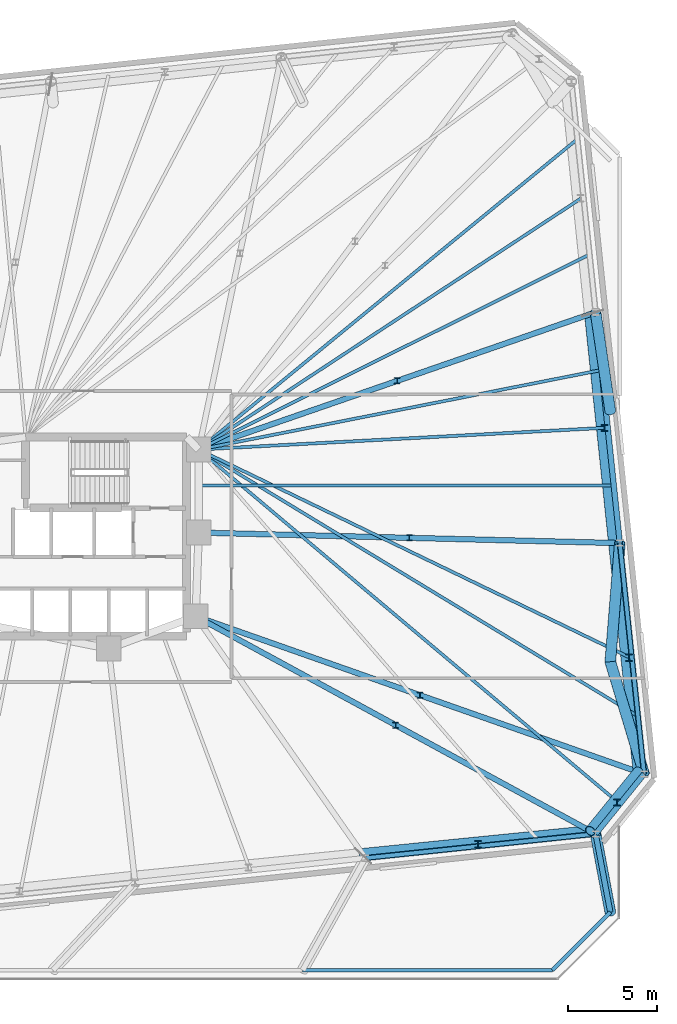
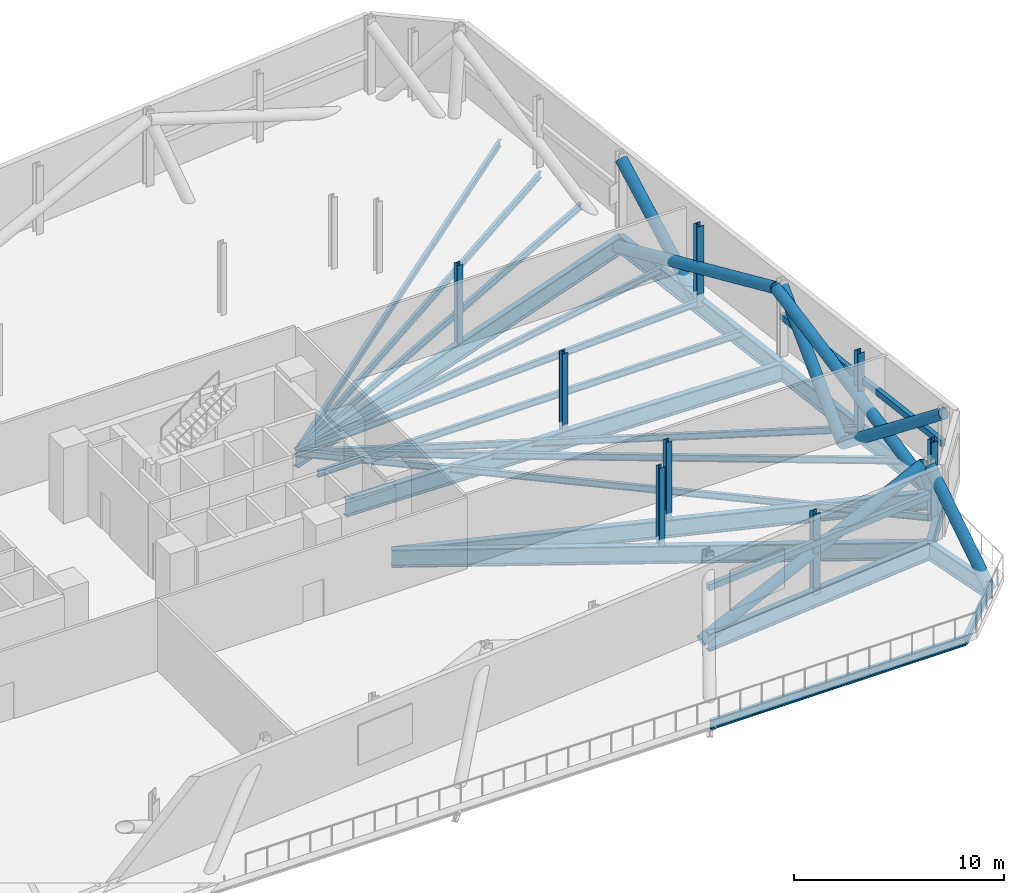
# One storey, part 10 of 17: 20 beams, 18 members.
"""IFC4 building model written with IfcOpenShell, lengths in metres."""

from ifc_helpers import new_model, si_unit, direction, frame, origin, origin_2d, place, context, subcontext, project, spatial, hollow_rectangle, hollow_circle, i_section, extrude, material, material_profile, profile_set, type_object, element, save


model = new_model("IFC4")

# Units and contexts
model_context = context("Model", 3, precision=1e-05, world=origin(), true_north=direction((0.0, 1.0)))
body_context = subcontext(model_context, "Body", "Model", "MODEL_VIEW")
ifc_project = project(units=[si_unit("LENGTHUNIT", "METRE"), si_unit("AREAUNIT", "SQUARE_METRE"), si_unit("VOLUMEUNIT", "CUBIC_METRE"), si_unit("PLANEANGLEUNIT", "RADIAN"), si_unit("MASSUNIT", "GRAM", prefix="KILO")], contexts=[model_context])

# Site, building, storey
site_placement = place(None, origin())
site = spatial("IfcSite", under=ifc_project, at=site_placement, CompositionType="ELEMENT")
building_placement = place(site_placement, origin())
building = spatial("IfcBuilding", under=site, at=building_placement, Name="Menara Jurai Vektor", CompositionType="ELEMENT")
storey_placement = place(building_placement, frame((0.0, 0.0, 78.800048828125)))
storey = spatial("IfcBuildingStorey", under=building, at=storey_placement, Name="L19", CompositionType="ELEMENT", Elevation=78.800048828125)

# Beams
ifc_material_1 = material(Name="Steel S355", Category="steel")
ifc_material_profile_1 = material_profile(ifc_material_1, i_section(OverallWidth=0.2109375, OverallDepth=0.5390625, WebThickness=0.011962890625, FlangeThickness=0.01904296875, FilletRadius=0.012939453125, at=origin_2d()), Name="UKB 533x210x109")
ifc_profile_set_1 = profile_set([ifc_material_profile_1], Name="Steel S355")
beam_type_1 = type_object("IfcBeamType", Name="STR-BM-533", PredefinedType="BEAM", material=ifc_profile_set_1)
beam_1_placement = place(storey_placement, frame((21.106689453125, -24.449951171875, -0.674560546875), z_axis=(1.0, 0.0, 0.0), x_axis=(0.0, 1.0, 0.0)))
element("IfcBeam", 1, at=beam_1_placement, inside=storey, type_object=beam_type_1, Name="Step Terrace Edge Beam L19-05", PredefinedType="BEAM", context=body_context, shape_type="SweptSolid", body=[
    extrude(i_section(OverallWidth=0.2109375, OverallDepth=0.5390625, WebThickness=0.011962890625, FlangeThickness=0.01904296875, FilletRadius=0.012939453125, at=origin_2d()), origin(), (0.0, 0.0, 1.0), 14.071044921875),
])
beam_2_placement = place(storey_placement, frame((35.177734375, -24.449951171875, -0.674560546875), z_axis=(0.707106781187, 0.707106781187, 0.0), x_axis=(-0.707106781187, 0.707106781187, 0.0)))
element("IfcBeam", 2, at=beam_2_placement, inside=storey, type_object=beam_type_1, Name="Step Terrace Edge Beam L19-06", PredefinedType="BEAM", context=body_context, shape_type="SweptSolid", body=[
    extrude(i_section(OverallWidth=0.2109375, OverallDepth=0.5390625, WebThickness=0.011962890625, FlangeThickness=0.01904296875, FilletRadius=0.012939453125, at=origin_2d()), origin(), (0.0, 0.0, 1.0), 4.627685546875),
])
ifc_material_2 = material(Name="Steel S460", Category="steel")
ifc_material_profile_2 = material_profile(ifc_material_2, i_section(OverallWidth=0.30908203125, OverallDepth=1.035888671875, WebThickness=0.030029296875, FlangeThickness=0.053955078125, FilletRadius=0.030029296875, at=origin_2d()), Name="UKB 1016x305x487")
ifc_profile_set_2 = profile_set([ifc_material_profile_2], Name="Steel S460")
beam_type_2 = type_object("IfcBeamType", Name="STR-BM-TR1016", PredefinedType="BEAM", material=ifc_profile_set_2)
beam_3_placement = place(storey_placement, frame((24.64208984375, -18.12939453125, -0.923095703125), z_axis=(0.994521636083, 0.104530930169, 0.0), x_axis=(-0.104530930169, 0.994521636083, 0.0)))
element("IfcBeam", 3, at=beam_3_placement, inside=storey, type_object=beam_type_2, Name="Belt Truss Bottom Chord L19-05", PredefinedType="BEAM", context=body_context, shape_type="SweptSolid", body=[
    extrude(i_section(OverallWidth=0.30908203125, OverallDepth=1.035888671875, WebThickness=0.030029296875, FlangeThickness=0.053955078125, FilletRadius=0.030029296875, at=origin_2d()), origin(), (0.0, 0.0, 1.0), 13.05126953125),
])
beam_4_placement = place(storey_placement, frame((37.621826171875, -16.76513671875, -0.923095703125), z_axis=(0.629343699494, 0.777127086072, 0.0), x_axis=(-0.777127086072, 0.629343699494, 0.0)))
element("IfcBeam", 4, at=beam_4_placement, inside=storey, type_object=beam_type_2, Name="Belt Truss Bottom Chord L19-06", PredefinedType="BEAM", context=body_context, shape_type="SweptSolid", body=[
    extrude(i_section(OverallWidth=0.30908203125, OverallDepth=1.035888671875, WebThickness=0.030029296875, FlangeThickness=0.053955078125, FilletRadius=0.030029296875, at=origin_2d()), origin(), (0.0, 0.0, 1.0), 4.3447265625),
])
beam_5_placement = place(storey_placement, frame((38.449951171875, -21.177734375, -0.923095703125), z_axis=(-0.184452694721, 0.982841392805, 0.0), x_axis=(-0.982841392805, -0.184452694721, 0.0)))
element("IfcBeam", 5, at=beam_5_placement, inside=storey, type_object=beam_type_2, Name="Cantilever Transfer Girder L19-S6", PredefinedType="BEAM", context=body_context, shape_type="SweptSolid", body=[
    extrude(i_section(OverallWidth=0.30908203125, OverallDepth=1.035888671875, WebThickness=0.030029296875, FlangeThickness=0.053955078125, FilletRadius=0.030029296875, at=origin_2d()), origin(), (0.0, 0.0, 1.0), 4.48974609375),
])
beam_6_placement = place(storey_placement, frame((37.621826171875, -16.76513671875, -0.923095703125), z_axis=(-0.878392468416, 0.477940029115, 0.0), x_axis=(-0.477940029115, -0.878392468416, 0.0)))
element("IfcBeam", 6, at=beam_6_placement, inside=storey, type_object=beam_type_2, Name="Outrigger Transfer Girder L19-S6", PredefinedType="BEAM", context=body_context, shape_type="SweptSolid", body=[
    extrude(i_section(OverallWidth=0.30908203125, OverallDepth=1.035888671875, WebThickness=0.030029296875, FlangeThickness=0.053955078125, FilletRadius=0.030029296875, at=origin_2d()), origin(), (0.0, 0.0, 1.0), 25.66259765625),
])
beam_7_placement = place(storey_placement, frame((40.356201171875, -13.388671875, -0.923095703125), z_axis=(-0.104538130097, 0.994520879296, 0.0), x_axis=(-0.994520879296, -0.104538130097, 0.0)))
element("IfcBeam", 7, at=beam_7_placement, inside=storey, type_object=beam_type_2, Name="Belt Truss Bottom Chord L19-07", PredefinedType="BEAM", context=body_context, shape_type="SweptSolid", body=[
    extrude(i_section(OverallWidth=0.30908203125, OverallDepth=1.035888671875, WebThickness=0.030029296875, FlangeThickness=0.053955078125, FilletRadius=0.030029296875, at=origin_2d()), origin(), (0.0, 0.0, 1.0), 13.08544921875),
])
beam_8_placement = place(storey_placement, frame((40.356201171875, -13.388671875, -0.923095703125), z_axis=(-0.943368219745, 0.331747497315, 0.0), x_axis=(-0.331747497315, -0.943368219745, 0.0)))
element("IfcBeam", 8, at=beam_8_placement, inside=storey, type_object=beam_type_2, Name="Outrigger Transfer Girder L19-E1", PredefinedType="BEAM", context=body_context, shape_type="SweptSolid", body=[
    extrude(i_section(OverallWidth=0.30908203125, OverallDepth=1.035888671875, WebThickness=0.030029296875, FlangeThickness=0.053955078125, FilletRadius=0.030029296875, at=origin_2d()), origin(), (0.0, 0.0, 1.0), 26.79345703125),
])
beam_9_placement = place(storey_placement, frame((38.98828125, -0.375, -0.923095703125), z_axis=(-0.104521615846, 0.994522615037, 0.0), x_axis=(-0.994522615037, -0.104521615846, 0.0)))
element("IfcBeam", 9, at=beam_9_placement, inside=storey, type_object=beam_type_2, Name="Belt Truss Bottom Chord L19-08", PredefinedType="BEAM", context=body_context, shape_type="SweptSolid", body=[
    extrude(i_section(OverallWidth=0.30908203125, OverallDepth=1.035888671875, WebThickness=0.030029296875, FlangeThickness=0.053955078125, FilletRadius=0.030029296875, at=origin_2d()), origin(), (0.0, 0.0, 1.0), 13.085205078125),
])
beam_10_placement = place(storey_placement, frame((38.98828125, -0.375, -0.923095703125), z_axis=(-0.999686051749, 0.02505589629, 0.0), x_axis=(-0.02505589629, -0.999686051749, 0.0)))
element("IfcBeam", 10, at=beam_10_placement, inside=storey, type_object=beam_type_2, Name="Outrigger Transfer Girder L19-E2", PredefinedType="BEAM", context=body_context, shape_type="SweptSolid", body=[
    extrude(i_section(OverallWidth=0.30908203125, OverallDepth=1.035888671875, WebThickness=0.030029296875, FlangeThickness=0.053955078125, FilletRadius=0.030029296875, at=origin_2d()), origin(), (0.0, 0.0, 1.0), 23.745849609375),
])
beam_11_placement = place(storey_placement, frame((37.62060546875, 12.638427734375, -0.923095703125), z_axis=(-0.945053249867, -0.326916434148, 0.0), x_axis=(0.326916434148, -0.945053249867, 0.0)))
element("IfcBeam", 11, at=beam_11_placement, inside=storey, type_object=beam_type_2, Name="Outrigger Transfer Girder L19-E3", PredefinedType="BEAM", context=body_context, shape_type="SweptSolid", body=[
    extrude(i_section(OverallWidth=0.30908203125, OverallDepth=1.035888671875, WebThickness=0.030029296875, FlangeThickness=0.053955078125, FilletRadius=0.030029296875, at=origin_2d()), origin(), (0.0, 0.0, 1.0), 23.671142578125),
])

# Members
ifc_material_profile_3 = material_profile(ifc_material_2, hollow_circle(Radius=0.304931640625, WallThickness=0.02490234375, at=origin_2d()), Name="CHS 610x25")
ifc_profile_set_3 = profile_set([ifc_material_profile_3], Name="Steel S460")
member_type_1 = type_object("IfcMemberType", Name="STR-BR-610", PredefinedType="BRACE", material=ifc_profile_set_3)
member_1_placement = place(storey_placement, frame((24.39453125, -17.896484375, -0.923095703125), z_axis=(0.930668269374, 0.093226744633, 0.353787148531), x_axis=(-0.099673000119, 0.995020247556, 0.0)))
element("IfcMember", 12, at=member_1_placement, inside=storey, type_object=member_type_1, Name="Belt Truss Web Diagonal L19-05", PredefinedType="BRACE", context=body_context, shape_type="SweptSolid", body=[
    extrude(hollow_circle(Radius=0.304931640625, WallThickness=0.02490234375, at=origin_2d()), origin(), (0.0, 0.0, 1.0), 13.892578125),
])
member_2_placement = place(storey_placement, frame((40.042724609375, -13.2568359375, -0.923095703125), z_axis=(-0.415890090523, -0.511609047241, 0.751858773564), x_axis=(0.775959773219, -0.630782395399, 0.0)))
element("IfcMember", 13, at=member_2_placement, inside=storey, type_object=member_type_1, Name="Belt Truss Web Diagonal L19-06", PredefinedType="BRACE", context=body_context, shape_type="SweptSolid", body=[
    extrude(hollow_circle(Radius=0.304931640625, WallThickness=0.02490234375, at=origin_2d()), origin(), (0.0, 0.0, 1.0), 6.537109375),
])
member_3_placement = place(storey_placement, frame((40.042724609375, -13.2568359375, -0.923095703125), z_axis=(-0.100368636304, 0.929821237323, 0.354060169279), x_axis=(-0.99422446822, -0.107320579537, 0.0)))
element("IfcMember", 14, at=member_3_placement, inside=storey, type_object=member_type_1, Name="Belt Truss Web Diagonal L19-07", PredefinedType="BRACE", context=body_context, shape_type="SweptSolid", body=[
    extrude(hollow_circle(Radius=0.304931640625, WallThickness=0.02490234375, at=origin_2d()), origin(), (0.0, 0.0, 1.0), 13.8818359375),
])
member_4_placement = place(storey_placement, frame((37.29443359375, 12.54248046875, -0.923095703125), z_axis=(0.097739713825, -0.929918531317, 0.354539805175), x_axis=(0.994521746641, 0.104529878302, 0.0)))
element("IfcMember", 15, at=member_4_placement, inside=storey, type_object=member_type_1, Name="Belt Truss Web Diagonal L19-08", PredefinedType="BRACE", context=body_context, shape_type="SweptSolid", body=[
    extrude(hollow_circle(Radius=0.304931640625, WallThickness=0.02490234375, at=origin_2d()), origin(), (0.0, 0.0, 1.0), 13.863037109375),
])
ifc_material_profile_4 = material_profile(ifc_material_2, hollow_rectangle(XDim=0.25, YDim=0.35009765625, WallThickness=0.012451171875, at=origin_2d()), Name="RHS 350x250x12.5")
ifc_profile_set_4 = profile_set([ifc_material_profile_4], Name="Steel S460")
member_type_2 = type_object("IfcMemberType", Name="STR-CH-RHS350", PredefinedType="CHORD", material=ifc_profile_set_4)
member_5_placement = place(storey_placement, frame((24.642333984375, -18.12939453125, 2.2548828125), z_axis=(0.994521431679, 0.104532874882, 0.0), x_axis=(-0.104532874882, 0.994521431679, 0.0)))
element("IfcMember", 16, at=member_5_placement, inside=storey, type_object=member_type_2, Name="Belt Truss Mid Chord L19-05", PredefinedType="CHORD", context=body_context, shape_type="SweptSolid", body=[
    extrude(hollow_rectangle(XDim=0.25, YDim=0.35009765625, WallThickness=0.012451171875, at=origin_2d()), origin(), (0.0, 0.0, 1.0), 13.051025390625),
])
member_6_placement = place(storey_placement, frame((40.356201171875, -13.388671875, 2.2548828125), z_axis=(-0.104538130097, 0.994520879296, 0.0), x_axis=(-0.994520879296, -0.104538130097, 0.0)))
element("IfcMember", 17, at=member_6_placement, inside=storey, type_object=member_type_2, Name="Belt Truss Mid Chord L19-07", PredefinedType="CHORD", context=body_context, shape_type="SweptSolid", body=[
    extrude(hollow_rectangle(XDim=0.25, YDim=0.35009765625, WallThickness=0.012451171875, at=origin_2d()), origin(), (0.0, 0.0, 1.0), 13.08544921875),
])

# Beams
ifc_material_profile_5 = material_profile(ifc_material_1, i_section(OverallWidth=0.175048828125, OverallDepth=0.3798828125, WebThickness=0.010009765625, FlangeThickness=0.014892578125, at=origin_2d()), Name="PG 380x175x58")
ifc_profile_set_5 = profile_set([ifc_material_profile_5], Name="Steel S355")
beam_type_3 = type_object("IfcBeamType", Name="STR-JS-380", PredefinedType="JOIST", material=ifc_profile_set_5)
beam_12_placement = place(storey_placement, frame((38.989013671875, -15.076904296875, -0.594970703125), z_axis=(-0.765132553444, 0.643872794627, 0.0), x_axis=(-0.643872794627, -0.765132553444, 0.0)))
element("IfcBeam", 18, at=beam_12_placement, inside=storey, type_object=beam_type_3, Name="Radial Secondary Floor Joist L19-JS10", PredefinedType="JOIST", context=body_context, shape_type="SweptSolid", body=[
    extrude(i_section(OverallWidth=0.175048828125, OverallDepth=0.3798828125, WebThickness=0.010009765625, FlangeThickness=0.014892578125, at=origin_2d()), origin(), (0.0, 0.0, 1.0), 31.026123046875),
])
beam_13_placement = place(storey_placement, frame((40.01416015625, -10.13525390625, -0.594970703125), z_axis=(-0.854790986557, 0.518972416706, 0.0), x_axis=(-0.518972416706, -0.854790986557, 0.0)))
element("IfcBeam", 19, at=beam_13_placement, inside=storey, type_object=beam_type_3, Name="Radial Secondary Floor Joist L19-JS11", PredefinedType="JOIST", context=body_context, shape_type="SweptSolid", body=[
    extrude(i_section(OverallWidth=0.175048828125, OverallDepth=0.3798828125, WebThickness=0.010009765625, FlangeThickness=0.014892578125, at=origin_2d()), origin(), (0.0, 0.0, 1.0), 28.970947265625),
])
beam_14_placement = place(storey_placement, frame((39.672119140625, -6.8818359375, -0.594970703125), z_axis=(-0.90067072624, 0.434502293312, 0.0), x_axis=(-0.434502293312, -0.90067072624, 0.0)))
element("IfcBeam", 20, at=beam_14_placement, inside=storey, type_object=beam_type_3, Name="Radial Secondary Floor Joist L19-JS12", PredefinedType="JOIST", context=body_context, shape_type="SweptSolid", body=[
    extrude(i_section(OverallWidth=0.175048828125, OverallDepth=0.3798828125, WebThickness=0.010009765625, FlangeThickness=0.014892578125, at=origin_2d()), origin(), (0.0, 0.0, 1.0), 27.115478515625),
])
beam_15_placement = place(storey_placement, frame((38.646484375, 2.87841796875, -0.594970703125), z_axis=(-1.0, 0.0, 0.0), x_axis=(0.0, -1.0, 0.0)))
element("IfcBeam", 21, at=beam_15_placement, inside=storey, type_object=beam_type_3, Name="Radial Secondary Floor Joist L19-JS13", PredefinedType="JOIST", context=body_context, shape_type="SweptSolid", body=[
    extrude(i_section(OverallWidth=0.175048828125, OverallDepth=0.3798828125, WebThickness=0.010009765625, FlangeThickness=0.014892578125, at=origin_2d()), origin(), (0.0, 0.0, 1.0), 23.396484375),
])
beam_16_placement = place(storey_placement, frame((38.304443359375, 6.131591796875, -0.594970703125), z_axis=(-0.998575919005, -0.053349170414, 0.0), x_axis=(0.053349170414, -0.998575919005, 0.0)))
element("IfcBeam", 22, at=beam_16_placement, inside=storey, type_object=beam_type_3, Name="Radial Secondary Floor Joist L19-JS14", PredefinedType="JOIST", context=body_context, shape_type="SweptSolid", body=[
    extrude(i_section(OverallWidth=0.175048828125, OverallDepth=0.3798828125, WebThickness=0.010009765625, FlangeThickness=0.014892578125, at=origin_2d()), origin(), (0.0, 0.0, 1.0), 23.08740234375),
])
beam_17_placement = place(storey_placement, frame((37.96240234375, 9.385009765625, -0.594970703125), z_axis=(-0.981054359007, -0.193732662897, 0.0), x_axis=(0.193732662897, -0.981054359007, 0.0)))
element("IfcBeam", 23, at=beam_17_placement, inside=storey, type_object=beam_type_3, Name="Radial Secondary Floor Joist L19-JS15", PredefinedType="JOIST", context=body_context, shape_type="SweptSolid", body=[
    extrude(i_section(OverallWidth=0.175048828125, OverallDepth=0.3798828125, WebThickness=0.010009765625, FlangeThickness=0.014892578125, at=origin_2d()), origin(), (0.0, 0.0, 1.0), 23.151123046875),
])
beam_18_placement = place(storey_placement, frame((37.278564453125, 15.891845703125, -0.594970703125), z_axis=(-0.894789854106, -0.446487532849, 0.0), x_axis=(0.446487532849, -0.894789854106, 0.0)))
element("IfcBeam", 24, at=beam_18_placement, inside=storey, type_object=beam_type_3, Name="Radial Secondary Floor Joist L19-JS16", PredefinedType="JOIST", context=body_context, shape_type="SweptSolid", body=[
    extrude(i_section(OverallWidth=0.175048828125, OverallDepth=0.3798828125, WebThickness=0.010009765625, FlangeThickness=0.014892578125, at=origin_2d()), origin(), (0.0, 0.0, 1.0), 24.61865234375),
])
beam_19_placement = place(storey_placement, frame((36.936767578125, 19.145263671875, -0.594970703125), z_axis=(-0.835810585743, -0.549017909326, 0.0), x_axis=(0.549017909326, -0.835810585743, 0.0)))
element("IfcBeam", 25, at=beam_19_placement, inside=storey, type_object=beam_type_3, Name="Radial Secondary Floor Joist L19-JS17", PredefinedType="JOIST", context=body_context, shape_type="SweptSolid", body=[
    extrude(i_section(OverallWidth=0.175048828125, OverallDepth=0.3798828125, WebThickness=0.010009765625, FlangeThickness=0.014892578125, at=origin_2d()), origin(), (0.0, 0.0, 1.0), 25.947021484375),
])
beam_20_placement = place(storey_placement, frame((36.5947265625, 22.398681640625, -0.594970703125), z_axis=(-0.773337004811, -0.63399517111, 0.0), x_axis=(0.63399517111, -0.773337004811, 0.0)))
element("IfcBeam", 26, at=beam_20_placement, inside=storey, type_object=beam_type_3, Name="Radial Secondary Floor Joist L19-JS18", PredefinedType="JOIST", context=body_context, shape_type="SweptSolid", body=[
    extrude(i_section(OverallWidth=0.175048828125, OverallDepth=0.3798828125, WebThickness=0.010009765625, FlangeThickness=0.014892578125, at=origin_2d()), origin(), (0.0, 0.0, 1.0), 27.600830078125),
])

# Members
ifc_material_profile_6 = material_profile(ifc_material_2, i_section(OverallWidth=0.31103515625, OverallDepth=0.326904296875, WebThickness=0.01611328125, FlangeThickness=0.02490234375, FilletRadius=0.014892578125, at=origin_2d()), Name="UKC 305x305x158")
ifc_profile_set_6 = profile_set([ifc_material_profile_6], Name="Steel S460")
member_type_3 = type_object("IfcMemberType", Name="STR-POST-305", PredefinedType="POST", material=ifc_profile_set_6)
for number, where, z_axis, x_axis, name in (
    (27, (26.350830078125, -10.632568359375, -0.405029296875), (0.0, 0.0, 1.0), (1.0, 0.0, 0.0), "Girder Hanger L19-S6"),
    (28, (27.718017578125, -8.9443359375, -0.405029296875), (0.0, 0.0, 1.0), (1.0, 0.0, 0.0), "Girder Hanger L19-E1"),
    (29, (27.119140625, -0.077392578125, -0.405029296875), (0.0, 0.0, 1.0), (1.0, 0.0, 0.0), "Girder Hanger L19-E2"),
    (30, (26.435302734375, 8.769287109375, -0.405029296875), (0.0, 0.0, 1.0), (1.0, 0.0, 0.0), "Girder Hanger L19-E3"),
):
    element("IfcMember", number, at=place(storey_placement, frame(where, z_axis=z_axis, x_axis=x_axis)), inside=storey, type_object=member_type_3, Name=name, PredefinedType="POST", context=body_context, shape_type="SweptSolid", body=[
        extrude(i_section(OverallWidth=0.31103515625, OverallDepth=0.326904296875, WebThickness=0.01611328125, FlangeThickness=0.02490234375, FilletRadius=0.014892578125, at=origin_2d()), origin(), (0.0, 0.0, 1.0), 4.554931640625),
    ])
ifc_material_profile_7 = material_profile(ifc_material_2, i_section(OverallWidth=0.375, OverallDepth=0.375, WebThickness=0.01708984375, FlangeThickness=0.027099609375, FilletRadius=0.014892578125, at=origin_2d()), Name="UKC 356x368x202")
ifc_profile_set_7 = profile_set([ifc_material_profile_7], Name="Steel S460")
member_type_4 = type_object("IfcMemberType", Name="STR-POST-368", PredefinedType="POST", material=ifc_profile_set_7)
for number, where, z_axis, x_axis, name in (
    (31, (30.984619140625, -17.343994140625, -0.755126953125), (0.0, 0.0, 1.0), (1.0, 0.0, 0.0), "Belt Truss Vertical Web Post L19-05"),
    (32, (38.826904296875, -14.99853515625, -0.755126953125), (0.0, 0.0, 1.0), (1.0, 0.0, 0.0), "Belt Truss Vertical Web Post L19-06"),
    (33, (39.497802734375, -6.837890625, -0.755126953125), (0.0, 0.0, 1.0), (1.0, 0.0, 0.0), "Belt Truss Vertical Web Post L19-07"),
    (34, (38.12548828125, 6.11279296875, -0.755126953125), (0.0, 0.0, 1.0), (1.0, 0.0, 0.0), "Belt Truss Vertical Web Post L19-08"),
):
    element("IfcMember", number, at=place(storey_placement, frame(where, z_axis=z_axis, x_axis=x_axis)), inside=storey, type_object=member_type_4, Name=name, PredefinedType="POST", context=body_context, shape_type="SweptSolid", body=[
        extrude(i_section(OverallWidth=0.375, OverallDepth=0.375, WebThickness=0.01708984375, FlangeThickness=0.027099609375, FilletRadius=0.014892578125, at=origin_2d()), origin(), (0.0, 0.0, 1.0), 4.705078125),
    ])
ifc_material_profile_8 = material_profile(ifc_material_2, hollow_circle(Radius=0.304931640625, WallThickness=0.02490234375, at=origin_2d()), Name="CHS 610x25")
ifc_profile_set_8 = profile_set([ifc_material_profile_8], Name="Steel S460")
member_type_5 = type_object("IfcMemberType", Name="STR-ST-610", PredefinedType="STRUT", material=ifc_profile_set_8)
member_7_placement = place(storey_placement, frame((38.449951171875, -21.177734375, -0.923095703125), z_axis=(-0.124400856443, 0.662859988018, 0.738336686886), x_axis=(-0.982841392805, -0.184452694721, 0.0)))
element("IfcMember", 35, at=member_7_placement, inside=storey, type_object=member_type_5, Name="Transfer Outrigger Strut L19-S6", PredefinedType="STRUT", context=body_context, shape_type="SweptSolid", body=[
    extrude(hollow_circle(Radius=0.304931640625, WallThickness=0.02490234375, at=origin_2d()), origin(), (0.0, 0.0, 1.0), 6.656982421875),
])
member_8_placement = place(storey_placement, frame((38.449951171875, -7.059326171875, -0.923095703125), z_axis=(0.231418717122, -0.768382459195, 0.596685657416), x_axis=(0.957515684815, 0.288381194486, 0.0)))
element("IfcMember", 36, at=member_8_placement, inside=storey, type_object=member_type_5, Name="Transfer Outrigger Strut L19-E1", PredefinedType="STRUT", context=body_context, shape_type="SweptSolid", body=[
    extrude(hollow_circle(Radius=0.304931640625, WallThickness=0.02490234375, at=origin_2d()), origin(), (0.0, 0.0, 1.0), 8.2373046875),
])
member_9_placement = place(storey_placement, frame((38.449951171875, -7.059326171875, -0.923095703125), z_axis=(0.064747473849, 0.803955141281, 0.591154713622), x_axis=(-0.996772653222, 0.08027625919, 0.0)))
element("IfcMember", 37, at=member_9_placement, inside=storey, type_object=member_type_5, Name="Transfer Outrigger Strut L19-E2", PredefinedType="STRUT", context=body_context, shape_type="SweptSolid", body=[
    extrude(hollow_circle(Radius=0.304931640625, WallThickness=0.02490234375, at=origin_2d()), origin(), (0.0, 0.0, 1.0), 8.314208984375),
])
member_10_placement = place(storey_placement, frame((38.449951171875, 7.059326171875, -0.923095703125), z_axis=(-0.110853898688, 0.745726609603, 0.656965171737), x_axis=(-0.989131066112, -0.147036505846, 0.0)))
element("IfcMember", 38, at=member_10_placement, inside=storey, type_object=member_type_5, Name="Transfer Outrigger Strut L19-E3", PredefinedType="STRUT", context=body_context, shape_type="SweptSolid", body=[
    extrude(hollow_circle(Radius=0.304931640625, WallThickness=0.02490234375, at=origin_2d()), origin(), (0.0, 0.0, 1.0), 7.4814453125),
])

save(model, "model.ifc")
